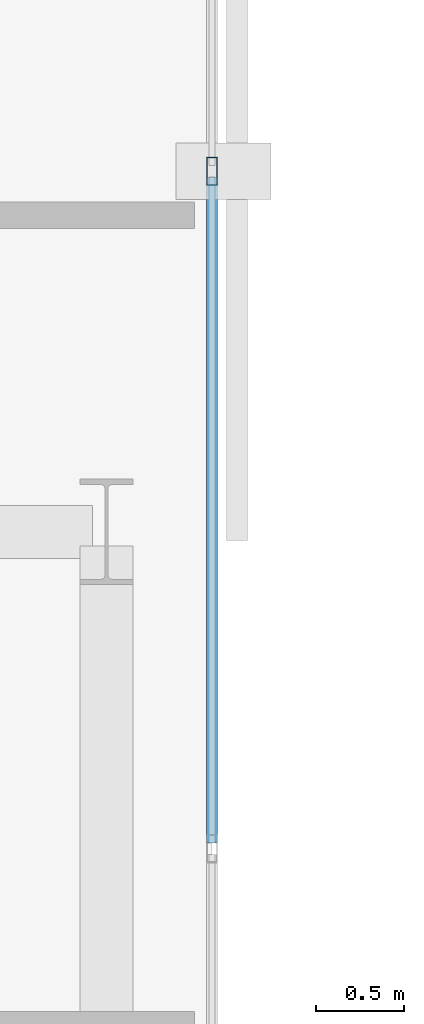
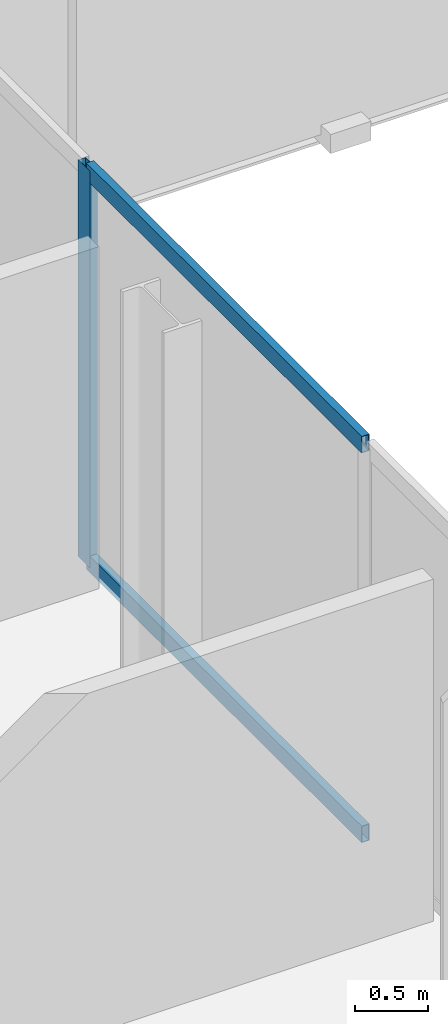
# One storey, part 8 of 32: 3 members, 1 element without a shape of its own.
"""IFC4 building model written with IfcOpenShell, lengths in metres."""

from ifc_helpers import new_model, si_unit, direction, frame, origin, origin_2d, place, context, subcontext, project, spatial, hollow_rectangle, extrude, material, layer, layer_set, material_profile, profile_set, type_object, element, aggregate, save


model = new_model("IFC4")

# Units and contexts
model_context = context("Model", 3, precision=1e-05, world=origin(), true_north=direction((0.0, 1.0)))
body_context = subcontext(model_context, "Body", "Model", "MODEL_VIEW")
ifc_project = project(units=[si_unit("LENGTHUNIT", "METRE"), si_unit("AREAUNIT", "SQUARE_METRE"), si_unit("VOLUMEUNIT", "CUBIC_METRE"), si_unit("PLANEANGLEUNIT", "RADIAN"), si_unit("MASSUNIT", "GRAM", prefix="KILO")], contexts=[model_context])

# Site, building, storey
site_placement = place(None, origin())
site = spatial("IfcSite", under=ifc_project, at=site_placement, CompositionType="ELEMENT")
building_placement = place(site_placement, origin())
building = spatial("IfcBuilding", under=site, at=building_placement, Name="Catumbela Crestline Tower", CompositionType="ELEMENT")
storey_placement = place(building_placement, frame((0.0, 0.0, 129.6)))
storey = spatial("IfcBuildingStorey", under=building, at=storey_placement, Name="L33", CompositionType="ELEMENT", Elevation=129.6)

# Curtain wall, members
ifc_material = material(Name="Aluminium alloy AW-6060-T66", Category="aluminium")
ifc_layer = layer(ifc_material, 0.18, Name="Aluminium alloy AW-6060-T66")
ifc_layer_set = layer_set([ifc_layer], Name="Aluminium alloy AW-6060-T66")
curtain_wall_type = type_object("IfcCurtainWallType", Name="CWU-Z2", PredefinedType="USERDEFINED", material=ifc_layer_set)
curtain_wall_placement = place(storey_placement, origin())
curtain_wall = element("IfcCurtainWall", 1, at=curtain_wall_placement, inside=storey, type_object=curtain_wall_type, Name="L33 Unitised Curtain Wall CW-L33-E2S1", ObjectType="UNITISED", PredefinedType="USERDEFINED")
ifc_material_profile_1 = material_profile(ifc_material, hollow_rectangle(XDim=0.06, YDim=0.16, WallThickness=0.004, at=origin_2d()), Name="ALU 160x60x4")
ifc_profile_set_1 = profile_set([ifc_material_profile_1], Name="Aluminium alloy AW-6060-T66")
member_type_1 = type_object("IfcMemberType", Name="MUL-160X60", PredefinedType="MULLION", material=ifc_profile_set_1)
member_1_placement = place(storey_placement, frame((24.0, 20.05, 0.0), z_axis=(0.0, 0.0, 1.0), x_axis=(-1.0, 0.0, 0.0)))
member_1 = element("IfcMember", 2, at=member_1_placement, type_object=member_type_1, Name="CWU-Z2 mullion 4", PredefinedType="MULLION", context=body_context, shape_type="SweptSolid", body=[
    extrude(hollow_rectangle(XDim=0.06, YDim=0.16, WallThickness=0.004, at=origin_2d()), origin(), (0.0, 0.0, 1.0), 3.33),
])
ifc_material_profile_2 = material_profile(ifc_material, hollow_rectangle(XDim=0.06, YDim=0.14, WallThickness=0.004, at=origin_2d()), Name="ALU 140x60x4")
ifc_profile_set_2 = profile_set([ifc_material_profile_2], Name="Aluminium alloy AW-6060-T66")
member_type_2 = type_object("IfcMemberType", Name="TRN-140X60", PredefinedType="USERDEFINED", material=ifc_profile_set_2)
member_2_placement = place(storey_placement, frame((24.0, 16.2325, 0.03), z_axis=(0.0, 1.0, 0.0), x_axis=(-1.0, 0.0, 0.0)))
member_2 = element("IfcMember", 3, at=member_2_placement, type_object=member_type_2, Name="CWU-Z2 transom 3.1", ObjectType="TRANSOM", PredefinedType="USERDEFINED", context=body_context, shape_type="SweptSolid", body=[
    extrude(hollow_rectangle(XDim=0.06, YDim=0.14, WallThickness=0.004, at=origin_2d()), origin(), (0.0, 0.0, 1.0), 3.785),
])
member_3_placement = place(storey_placement, frame((24.0, 16.2325, 3.3), z_axis=(0.0, 1.0, 0.0), x_axis=(-1.0, 0.0, 0.0)))
member_3 = element("IfcMember", 4, at=member_3_placement, type_object=member_type_2, Name="CWU-Z2 transom 3.2", ObjectType="TRANSOM", PredefinedType="USERDEFINED", context=body_context, shape_type="SweptSolid", body=[
    extrude(hollow_rectangle(XDim=0.06, YDim=0.14, WallThickness=0.004, at=origin_2d()), origin(), (0.0, 0.0, 1.0), 3.785),
])
aggregate(curtain_wall, [member_1, member_2, member_3])

save(model, "model.ifc")
